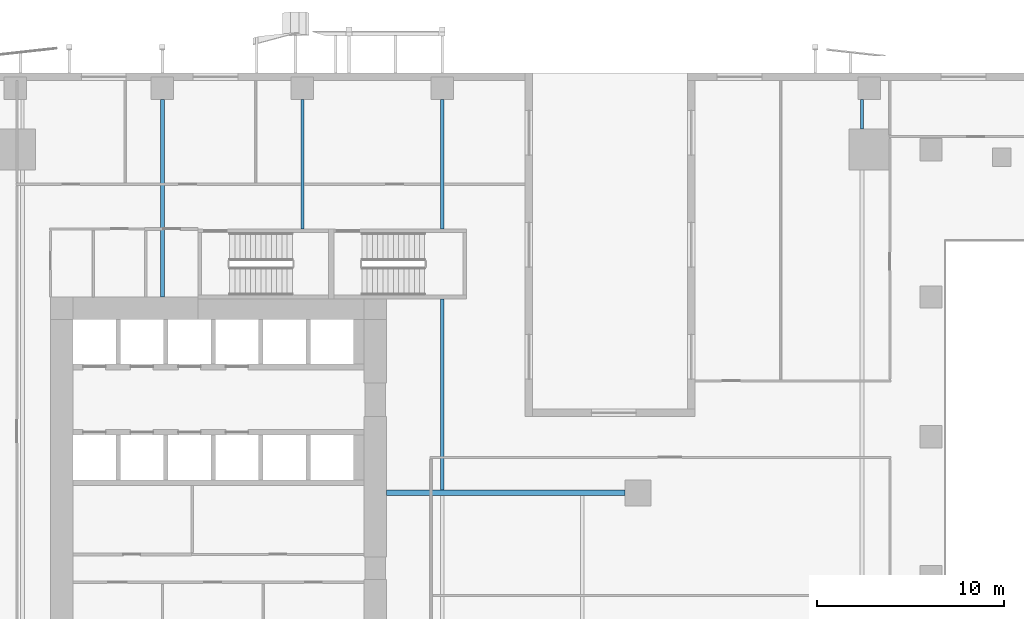
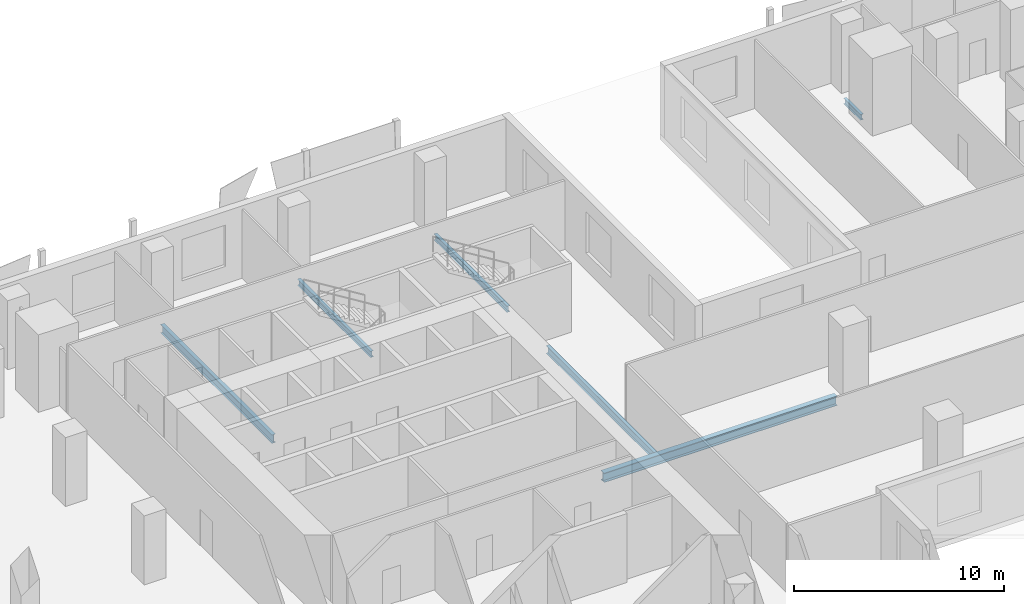
# One storey, part 5 of 21: 6 beams.
"""IFC4 building model written with IfcOpenShell, lengths in metres."""

from ifc_helpers import new_model, si_unit, direction, frame, origin, origin_2d, place, context, subcontext, project, spatial, i_section, extrude, source, transform, mapped, material, material_profile, profile_set, type_object, element, save


model = new_model("IFC4")

# Units and contexts
model_context = context("Model", 3, precision=1e-05, world=origin(), true_north=direction((0.0, 1.0)))
body_context = subcontext(model_context, "Body", "Model", "MODEL_VIEW")
ifc_project = project(units=[si_unit("LENGTHUNIT", "METRE"), si_unit("AREAUNIT", "SQUARE_METRE"), si_unit("VOLUMEUNIT", "CUBIC_METRE"), si_unit("PLANEANGLEUNIT", "RADIAN"), si_unit("MASSUNIT", "GRAM", prefix="KILO")], contexts=[model_context])

# Site, building, storey
site_placement = place(None, origin())
site = spatial("IfcSite", under=ifc_project, at=site_placement, CompositionType="ELEMENT")
building_placement = place(site_placement, origin())
building = spatial("IfcBuilding", under=site, at=building_placement, Name="Khomas Fold Tower", CompositionType="ELEMENT")
storey_placement = place(building_placement, frame((0.0, 0.0, 28.5)))
storey = spatial("IfcBuildingStorey", under=building, at=storey_placement, Name="L05", CompositionType="ELEMENT", Elevation=28.5)

# Beams
ifc_material_1 = material(Name="Steel S355", Category="steel")
ifc_material_profile_1 = material_profile(ifc_material_1, i_section(OverallWidth=0.300048828125, OverallDepth=0.550048828125, WebThickness=0.014892578125, FlangeThickness=0.029052734375, at=origin_2d()), Name="HE 550 B")
ifc_profile_set_1 = profile_set([ifc_material_profile_1], Name="Steel S355")
beam_type_1 = type_object("IfcBeamType", Name="HE 550 B beam GB4", PredefinedType="BEAM", material=ifc_profile_set_1)
shared_shape_1 = source(origin(), body_context, "Body", "SweptSolid", [
    extrude(i_section(OverallWidth=0.300048828125, OverallDepth=0.550048828125, WebThickness=0.014892578125, FlangeThickness=0.029052734375, at=origin_2d()), origin(), (0.0, 0.0, 1.0), 12.800048828125),
])
beam_1_placement = place(storey_placement, frame((24.0, 31.5, -0.574951171875), z_axis=(1.0, 0.0, 0.0), x_axis=(0.0, 1.0, 0.0)))
element("IfcBeam", 1, at=beam_1_placement, inside=storey, type_object=beam_type_1, Name="GB4", PredefinedType="BEAM", context=body_context, shape_type="MappedRepresentation", body=[
    mapped(shared_shape_1, transform((0.0, 0.0, 0.0))),
])
ifc_material_2 = material(Name="Steel S355", Category="steel")
ifc_material_profile_2 = material_profile(ifc_material_2, i_section(OverallWidth=0.159912109375, OverallDepth=0.330078125, WebThickness=0.007568359375, FlangeThickness=0.011474609375, at=origin_2d()), Name="IPE 330")
ifc_profile_set_2 = profile_set([ifc_material_profile_2], Name="Steel S355")
beam_type_2 = type_object("IfcBeamType", Name="IPE 330 beam JB1", PredefinedType="BEAM", material=ifc_profile_set_2)
shared_shape_2 = source(origin(), body_context, "Body", "SweptSolid", [
    extrude(i_section(OverallWidth=0.159912109375, OverallDepth=0.330078125, WebThickness=0.007568359375, FlangeThickness=0.011474609375, at=origin_2d()), origin(), (0.0, 0.0, 1.0), 1.60009765625),
])
beam_2_placement = place(storey_placement, frame((49.5, 51.0, -0.465087890625), z_axis=(0.0, 1.0, 0.0), x_axis=(-1.0, 0.0, 0.0)))
element("IfcBeam", 2, at=beam_2_placement, inside=storey, type_object=beam_type_2, Name="JB1", PredefinedType="BEAM", context=body_context, shape_type="MappedRepresentation", body=[
    mapped(shared_shape_2, transform((0.0, 0.0, 0.0))),
])
ifc_material_3 = material(Name="Steel S355", Category="steel")
ifc_material_profile_3 = material_profile(ifc_material_3, i_section(OverallWidth=0.199951171875, OverallDepth=0.5, WebThickness=0.01025390625, FlangeThickness=0.01611328125, at=origin_2d()), Name="IPE 500")
ifc_profile_set_3 = profile_set([ifc_material_profile_3], Name="Steel S355")
beam_type_3 = type_object("IfcBeamType", Name="IPE 500 beam JB5", PredefinedType="BEAM", material=ifc_profile_set_3)
shared_shape_3 = source(origin(), body_context, "Body", "SweptSolid", [
    extrude(i_section(OverallWidth=0.199951171875, OverallDepth=0.5, WebThickness=0.01025390625, FlangeThickness=0.01611328125, at=origin_2d()), origin(), (0.0, 0.0, 1.0), 10.60009765625),
])
beam_3_placement = place(storey_placement, frame((12.0, 42.0, -0.550048828125), z_axis=(0.0, 1.0, 0.0), x_axis=(-1.0, 0.0, 0.0)))
element("IfcBeam", 3, at=beam_3_placement, inside=storey, type_object=beam_type_3, Name="JB5", PredefinedType="BEAM", context=body_context, shape_type="MappedRepresentation", body=[
    mapped(shared_shape_3, transform((0.0, 0.0, 0.0))),
])
ifc_material_4 = material(Name="Steel S355", Category="steel")
ifc_material_profile_4 = material_profile(ifc_material_4, i_section(OverallWidth=0.169921875, OverallDepth=0.360107421875, WebThickness=0.008056640625, FlangeThickness=0.0126953125, at=origin_2d()), Name="IPE 360")
ifc_profile_set_4 = profile_set([ifc_material_profile_4], Name="Steel S355")
beam_type_4 = type_object("IfcBeamType", Name="IPE 360 beam JB2", PredefinedType="BEAM", material=ifc_profile_set_4)
shared_shape_4 = source(origin(), body_context, "Body", "SweptSolid", [
    extrude(i_section(OverallWidth=0.169921875, OverallDepth=0.360107421875, WebThickness=0.008056640625, FlangeThickness=0.0126953125, at=origin_2d()), origin(), (0.0, 0.0, 1.0), 6.9501953125),
])
for number, where, z_axis, x_axis, name in (
    (4, (19.5, 45.64990234375, -0.47998046875), (0.0, 1.0, 0.0), (-1.0, 0.0, 0.0), "JB2"),
    (5, (27.0, 45.64990234375, -0.47998046875), (0.0, 1.0, 0.0), (-1.0, 0.0, 0.0), "JB2"),
):
    element("IfcBeam", number, at=place(storey_placement, frame(where, z_axis=z_axis, x_axis=x_axis)), inside=storey, type_object=beam_type_4, Name=name, PredefinedType="BEAM", context=body_context, shape_type="MappedRepresentation", body=[
        mapped(shared_shape_4, transform((0.0, 0.0, 0.0))),
    ])
ifc_material_5 = material(Name="Steel S355", Category="steel")
ifc_material_profile_5 = material_profile(ifc_material_5, i_section(OverallWidth=0.18994140625, OverallDepth=0.449951171875, WebThickness=0.009521484375, FlangeThickness=0.0146484375, at=origin_2d()), Name="IPE 450")
ifc_profile_set_5 = profile_set([ifc_material_profile_5], Name="Steel S355")
beam_type_5 = type_object("IfcBeamType", Name="IPE 450 beam JB4", PredefinedType="BEAM", material=ifc_profile_set_5)
shared_shape_5 = source(origin(), body_context, "Body", "SweptSolid", [
    extrude(i_section(OverallWidth=0.18994140625, OverallDepth=0.449951171875, WebThickness=0.009521484375, FlangeThickness=0.0146484375, at=origin_2d()), origin(), (0.0, 0.0, 1.0), 10.25),
])
beam_4_placement = place(storey_placement, frame((27.0, 31.64990234375, -0.52490234375), z_axis=(0.0, 1.0, 0.0), x_axis=(-1.0, 0.0, 0.0)))
element("IfcBeam", 6, at=beam_4_placement, inside=storey, type_object=beam_type_5, Name="JB4", PredefinedType="BEAM", context=body_context, shape_type="MappedRepresentation", body=[
    mapped(shared_shape_5, transform((0.0, 0.0, 0.0))),
])

save(model, "model.ifc")
